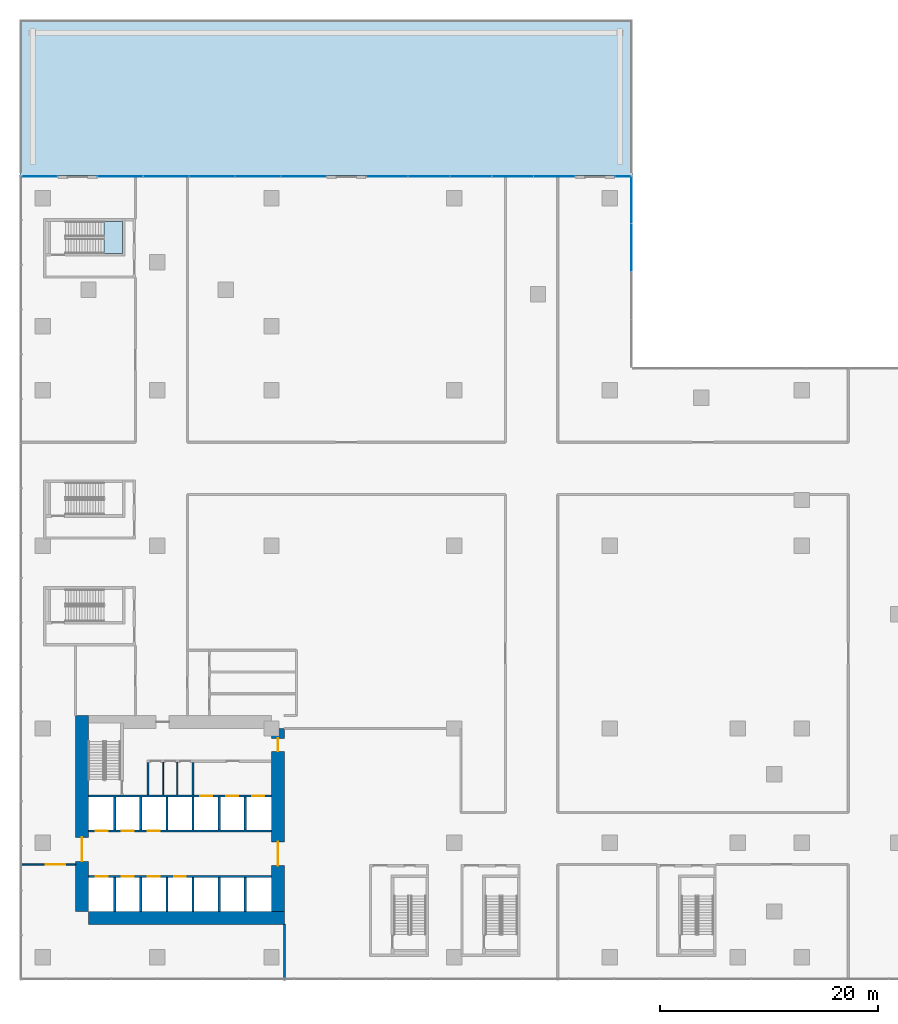
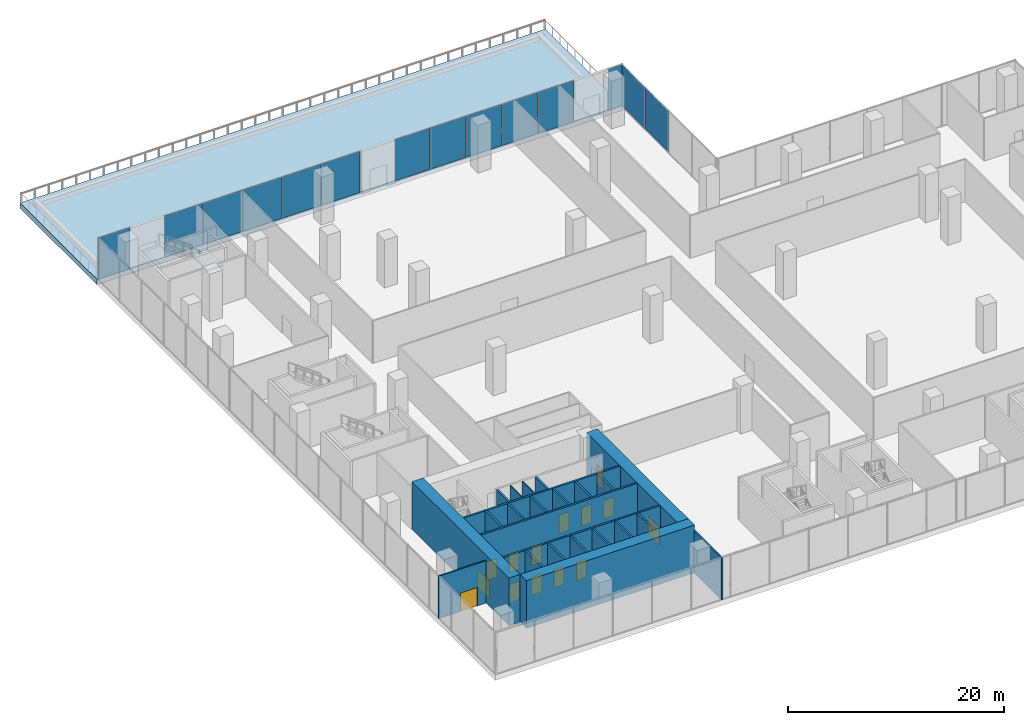
# One storey, part 13 of 24: 24 walls, 14 doors, 14 plates, 2 slabs, 14 openings, 6 elements without a shape of their own.
"""IFC4 building model written with IfcOpenShell, lengths in metres."""

from ifc_helpers import new_model, si_unit, direction, frame, frame_2d, origin, origin_2d, place, context, subcontext, project, spatial, polyline, rectangle, outline, extrude, source, transform, mapped, material, layer, layer_set, type_object, element, fill, aggregate, save


model = new_model("IFC4")

# Units and contexts
model_context = context("Model", 3, precision=1e-05, world=origin(), true_north=direction((0.0, 1.0)))
body_context = subcontext(model_context, "Body", "Model", "MODEL_VIEW")
ifc_project = project(units=[si_unit("LENGTHUNIT", "METRE"), si_unit("AREAUNIT", "SQUARE_METRE"), si_unit("VOLUMEUNIT", "CUBIC_METRE"), si_unit("PLANEANGLEUNIT", "RADIAN"), si_unit("MASSUNIT", "GRAM", prefix="KILO")], contexts=[model_context])

# Site, building, storey
site_placement = place(None, origin())
site = spatial("IfcSite", under=ifc_project, at=site_placement, CompositionType="ELEMENT")
building_placement = place(site_placement, origin())
building = spatial("IfcBuilding", under=site, at=building_placement, Name="Aurelian Terraces", CompositionType="ELEMENT")
storey_placement = place(building_placement, frame((0.0, 0.0, 12.9)))
storey = spatial("IfcBuildingStorey", under=building, at=storey_placement, Name="L02", CompositionType="ELEMENT", Elevation=12.9)

# Slab
ifc_material_1 = material(Name="Concrete fc' 40 MPa", Category="concrete")
ifc_layer_1 = layer(ifc_material_1, 0.6001)
ifc_layer_set_1 = layer_set([ifc_layer_1], Name="Terrace slab 600")
slab_type_1 = type_object("IfcSlabType", Name="Terrace slab 600", PredefinedType="NOTDEFINED", material=ifc_layer_set_1)
slab_1_placement = place(storey_placement, frame((0.0, 0.0, -0.6001)))
element("IfcSlab", 1, at=slab_1_placement, inside=storey, type_object=slab_type_1, Name="Podium garden terrace L02 L02-X1", PredefinedType="NOTDEFINED", context=body_context, shape_type="SweptSolid", body=[
    extrude(outline(polyline([(-2.1, 86.1), (54.18, 86.1), (54.18, 71.82), (-2.1, 71.82), (-2.1, 86.1)])), origin(), (0.0, 0.0, 1.0), 0.6001),
])

# Curtain wall, plate
ifc_material_2 = material(Name="Anodised aluminium and clear glazing", Category="aluminium")
ifc_layer_2 = layer(ifc_material_2, 0.2)
ifc_layer_set_2 = layer_set([ifc_layer_2], Name="Winter garden glazing curtain wall")
curtain_wall_type = type_object("IfcCurtainWallType", Name="Winter garden glazing curtain wall", PredefinedType="NOTDEFINED", material=ifc_layer_set_2)
curtain_wall_1_placement = place(storey_placement, origin())
curtain_wall_1 = element("IfcCurtainWall", 2, at=curtain_wall_1_placement, inside=storey, type_object=curtain_wall_type, Name="Winter garden glazing L02 F05.1", PredefinedType="NOTDEFINED")
ifc_material_3 = material(Name="Clear glazing", Category="glass")
ifc_layer_3 = layer(ifc_material_3, 0.028)
ifc_layer_set_3 = layer_set([ifc_layer_3], Name="Winter garden glazing glazing panel")
plate_type = type_object("IfcPlateType", Name="Winter garden glazing glazing panel", PredefinedType="CURTAIN_PANEL", material=ifc_layer_set_3)
plate_1_placement = place(storey_placement, frame((53.36, 71.72, 0.06), z_axis=(0.0, 0.0, 1.0), x_axis=(-1.0, 0.0, 0.0)))
plate_1 = element("IfcPlate", 3, at=plate_1_placement, type_object=plate_type, Name="CW6 panel 1.1", PredefinedType="CURTAIN_PANEL", context=body_context, shape_type="SweptSolid", body=[
    extrude(rectangle(XDim=1.52, YDim=0.028, at=origin_2d()), origin(), (0.0, 0.0, 1.0), 4.68),
])
aggregate(curtain_wall_1, [plate_1])

# Curtain wall, plates
curtain_wall_2_placement = place(storey_placement, origin())
curtain_wall_2 = element("IfcCurtainWall", 4, at=curtain_wall_2_placement, inside=storey, type_object=curtain_wall_type, Name="Winter garden glazing L02 F05.3", PredefinedType="NOTDEFINED")
plate_2_placement = place(storey_placement, frame((47.001, 71.72, 0.06), z_axis=(0.0, 0.0, 1.0), x_axis=(-1.0, 0.0, 0.0)))
plate_2 = element("IfcPlate", 5, at=plate_2_placement, type_object=plate_type, Name="CW6 panel 1.1", PredefinedType="CURTAIN_PANEL", context=body_context, shape_type="SweptSolid", body=[
    extrude(rectangle(XDim=3.758, YDim=0.028, at=origin_2d()), origin(), (0.0, 0.0, 1.0), 4.68),
])
plate_3_placement = place(storey_placement, frame((43.168, 71.72, 0.06), z_axis=(0.0, 0.0, 1.0), x_axis=(-1.0, 0.0, 0.0)))
plate_3 = element("IfcPlate", 6, at=plate_3_placement, type_object=plate_type, Name="CW6 panel 2.1", PredefinedType="CURTAIN_PANEL", context=body_context, shape_type="SweptSolid", body=[
    extrude(rectangle(XDim=3.788, YDim=0.028, at=origin_2d()), origin(), (0.0, 0.0, 1.0), 4.68),
])

curtain_wall_3_placement = place(storey_placement, origin())
curtain_wall_3 = element("IfcCurtainWall", 7, at=curtain_wall_3_placement, inside=storey, type_object=curtain_wall_type, Name="Winter garden glazing L02 F05.5", PredefinedType="NOTDEFINED")
plate_4_placement = place(storey_placement, frame((23.975, 71.72, 0.06), z_axis=(0.0, 0.0, 1.0), x_axis=(-1.0, 0.0, 0.0)))
plate_4 = element("IfcPlate", 8, at=plate_4_placement, type_object=plate_type, Name="CW6 panel 1.1", PredefinedType="CURTAIN_PANEL", context=body_context, shape_type="SweptSolid", body=[
    extrude(rectangle(XDim=4.13, YDim=0.028, at=origin_2d()), origin(), (0.0, 0.0, 1.0), 4.68),
])
plate_5_placement = place(storey_placement, frame((19.77, 71.72, 0.06), z_axis=(0.0, 0.0, 1.0), x_axis=(-1.0, 0.0, 0.0)))
plate_5 = element("IfcPlate", 9, at=plate_5_placement, type_object=plate_type, Name="CW6 panel 2.1", PredefinedType="CURTAIN_PANEL", context=body_context, shape_type="SweptSolid", body=[
    extrude(rectangle(XDim=4.16, YDim=0.028, at=origin_2d()), origin(), (0.0, 0.0, 1.0), 4.68),
])

# Curtain wall, plate
curtain_wall_4_placement = place(storey_placement, origin())
curtain_wall_4 = element("IfcCurtainWall", 10, at=curtain_wall_4_placement, inside=storey, type_object=curtain_wall_type, Name="Winter garden glazing L02 F05.7", PredefinedType="NOTDEFINED")
plate_6_placement = place(storey_placement, frame((-0.35, 71.72, 0.06), z_axis=(0.0, 0.0, 1.0), x_axis=(-1.0, 0.0, 0.0)))
plate_6 = element("IfcPlate", 11, at=plate_6_placement, type_object=plate_type, Name="CW6 panel 1.1", PredefinedType="CURTAIN_PANEL", context=body_context, shape_type="SweptSolid", body=[
    extrude(rectangle(XDim=3.38, YDim=0.028, at=origin_2d()), origin(), (0.0, 0.0, 1.0), 4.68),
])
aggregate(curtain_wall_4, [plate_6])

# Curtain wall, plates
curtain_wall_5_placement = place(storey_placement, origin())
curtain_wall_5 = element("IfcCurtainWall", 12, at=curtain_wall_5_placement, inside=storey, type_object=curtain_wall_type, Name="Winter garden glazing L02 F04.1", PredefinedType="NOTDEFINED")
shared_shape_1 = source(origin(), body_context, "Body", "SweptSolid", [
    extrude(rectangle(XDim=4.35, YDim=0.028, at=origin_2d()), origin(), (0.0, 0.0, 1.0), 4.68),
])
plate_7_placement = place(storey_placement, frame((54.08, 65.205, 0.06), z_axis=(0.0, 0.0, 1.0), x_axis=(0.0, 1.0, 0.0)))
plate_7 = element("IfcPlate", 13, at=plate_7_placement, type_object=plate_type, Name="CW6 panel 3.1", PredefinedType="CURTAIN_PANEL", context=body_context, shape_type="MappedRepresentation", body=[
    mapped(shared_shape_1, transform((0.0, 0.0, 0.0), scale=1.0)),
])
shared_shape_2 = source(origin(), body_context, "Body", "SweptSolid", [
    extrude(rectangle(XDim=4.32, YDim=0.028, at=origin_2d()), origin(), (0.0, 0.0, 1.0), 4.68),
])
plate_8_placement = place(storey_placement, frame((54.08, 69.6, 0.06), z_axis=(0.0, 0.0, 1.0), x_axis=(0.0, 1.0, 0.0)))
plate_8 = element("IfcPlate", 14, at=plate_8_placement, type_object=plate_type, Name="CW6 panel 4.1", PredefinedType="CURTAIN_PANEL", context=body_context, shape_type="MappedRepresentation", body=[
    mapped(shared_shape_2, transform((0.0, 0.0, 0.0), scale=1.0)),
])
aggregate(curtain_wall_5, [plate_7, plate_8])

# Plate
shared_shape_3 = source(origin(), body_context, "Body", "SweptSolid", [
    extrude(rectangle(XDim=3.788, YDim=0.028, at=origin_2d()), origin(), (0.0, 0.0, 1.0), 4.68),
])
plate_9_placement = place(storey_placement, frame((39.32, 71.72, 0.06), z_axis=(0.0, 0.0, 1.0), x_axis=(-1.0, 0.0, 0.0)))
plate_9 = element("IfcPlate", 15, at=plate_9_placement, type_object=plate_type, Name="CW6 panel 3.1", PredefinedType="CURTAIN_PANEL", context=body_context, shape_type="MappedRepresentation", body=[
    mapped(shared_shape_3, transform((0.0, 0.0, 0.0), scale=1.0)),
])

plate_10_placement = place(storey_placement, frame((35.472, 71.72, 0.06), z_axis=(0.0, 0.0, 1.0), x_axis=(-1.0, 0.0, 0.0)))
plate_10 = element("IfcPlate", 16, at=plate_10_placement, type_object=plate_type, Name="CW6 panel 4.1", PredefinedType="CURTAIN_PANEL", context=body_context, shape_type="MappedRepresentation", body=[
    mapped(shared_shape_3, transform((0.0, 0.0, 0.0), scale=1.0)),
])

shared_shape_4 = source(origin(), body_context, "Body", "SweptSolid", [
    extrude(rectangle(XDim=3.758, YDim=0.028, at=origin_2d()), origin(), (0.0, 0.0, 1.0), 4.68),
])
plate_11_placement = place(storey_placement, frame((31.639, 71.72, 0.06), z_axis=(0.0, 0.0, 1.0), x_axis=(-1.0, 0.0, 0.0)))
plate_11 = element("IfcPlate", 17, at=plate_11_placement, type_object=plate_type, Name="CW6 panel 5.1", PredefinedType="CURTAIN_PANEL", context=body_context, shape_type="MappedRepresentation", body=[
    mapped(shared_shape_4, transform((0.0, 0.0, 0.0), scale=1.0)),
])

aggregate(curtain_wall_2, [plate_2, plate_3, plate_9, plate_10, plate_11])

shared_shape_5 = source(origin(), body_context, "Body", "SweptSolid", [
    extrude(rectangle(XDim=4.16, YDim=0.028, at=origin_2d()), origin(), (0.0, 0.0, 1.0), 4.68),
])
plate_12_placement = place(storey_placement, frame((15.55, 71.72, 0.06), z_axis=(0.0, 0.0, 1.0), x_axis=(-1.0, 0.0, 0.0)))
plate_12 = element("IfcPlate", 18, at=plate_12_placement, type_object=plate_type, Name="CW6 panel 3.1", PredefinedType="CURTAIN_PANEL", context=body_context, shape_type="MappedRepresentation", body=[
    mapped(shared_shape_5, transform((0.0, 0.0, 0.0), scale=1.0)),
])

plate_13_placement = place(storey_placement, frame((11.33, 71.72, 0.06), z_axis=(0.0, 0.0, 1.0), x_axis=(-1.0, 0.0, 0.0)))
plate_13 = element("IfcPlate", 19, at=plate_13_placement, type_object=plate_type, Name="CW6 panel 4.1", PredefinedType="CURTAIN_PANEL", context=body_context, shape_type="MappedRepresentation", body=[
    mapped(shared_shape_5, transform((0.0, 0.0, 0.0), scale=1.0)),
])

shared_shape_6 = source(origin(), body_context, "Body", "SweptSolid", [
    extrude(rectangle(XDim=4.13, YDim=0.028, at=origin_2d()), origin(), (0.0, 0.0, 1.0), 4.68),
])
plate_14_placement = place(storey_placement, frame((7.125, 71.72, 0.06), z_axis=(0.0, 0.0, 1.0), x_axis=(-1.0, 0.0, 0.0)))
plate_14 = element("IfcPlate", 20, at=plate_14_placement, type_object=plate_type, Name="CW6 panel 5.1", PredefinedType="CURTAIN_PANEL", context=body_context, shape_type="MappedRepresentation", body=[
    mapped(shared_shape_6, transform((0.0, 0.0, 0.0), scale=1.0)),
])

aggregate(curtain_wall_3, [plate_4, plate_5, plate_12, plate_13, plate_14])

# Stair, slab
stair_type = type_object("IfcStairType", Name="Stair 1400", PredefinedType="HALF_TURN_STAIR", material=ifc_material_1)
stair_placement = place(storey_placement, origin())
stair = element("IfcStair", 21, at=stair_placement, inside=storey, type_object=stair_type, Name="L02 S5", PredefinedType="HALF_TURN_STAIR")
ifc_layer_4 = layer(ifc_material_1, 0.2)
ifc_layer_set_4 = layer_set([ifc_layer_4], Name="Stair landing 200")
slab_type_2 = type_object("IfcSlabType", Name="Stair landing 200", PredefinedType="LANDING", material=ifc_layer_set_4)
shared_shape_7 = source(origin(), body_context, "Body", "SweptSolid", [
    extrude(outline(polyline([(5.6, 64.65), (7.3, 64.65), (7.3, 67.6), (5.6, 67.6), (5.6, 64.65)])), origin(), (0.0, 0.0, 1.0), 0.2),
])
slab_2_placement = place(storey_placement, frame((0.0, 0.0, 2.5)))
slab_2 = element("IfcSlab", 22, at=slab_2_placement, type_object=slab_type_2, Name="S5 landing 1", PredefinedType="LANDING", context=body_context, shape_type="MappedRepresentation", body=[
    mapped(shared_shape_7, transform((0.0, 0.0, 0.0), scale=1.0)),
])
aggregate(stair, [slab_2])

# Wall, opening, door
ifc_material_4 = material(Name="Concrete fc' 83 MPa", Category="concrete")
ifc_layer_5 = layer(ifc_material_4, 1.2)
ifc_layer_set_5 = layer_set([ifc_layer_5], Name="CORE WALL 1200 FC83")
wall_type_1 = type_object("IfcWallType", Name="CORE WALL 1200 FC83", PredefinedType="SHEAR", material=ifc_layer_set_5)
shared_shape_8 = source(origin(), body_context, "Body", "SweptSolid", [
    extrude(rectangle(XDim=18.0, YDim=1.2, at=frame_2d((9.0, 0.0))), origin(), (0.0, 0.0, 1.0), 5.4),
])
wall_1_placement = place(storey_placement, frame((3.6, 4.2, 0.0), z_axis=(0.0, 0.0, 1.0), x_axis=(0.0, 1.0, 0.0)))
wall_1 = element("IfcWall", 23, at=wall_1_placement, inside=storey, type_object=wall_type_1, Name="Core wall W L02", PredefinedType="SHEAR", context=body_context, shape_type="MappedRepresentation", body=[
    mapped(shared_shape_8, transform((0.0, 0.0, 0.0), scale=1.0)),
])
shared_shape_9 = source(origin(), body_context, "Body", "SweptSolid", [
    extrude(rectangle(XDim=2.2, YDim=2.1, at=frame_2d((1.1, 1.05))), frame((0.0, 0.61, 0.0), z_axis=(0.0, -1.0, 0.0), x_axis=(1.0, 0.0, 0.0)), (0.0, 0.0, 1.0), 1.22),
])
opening_1_placement = place(wall_1_placement, frame((4.6, 0.0, 0.0)))
opening_1 = element("IfcOpeningElement", 24, at=opening_1_placement, cuts=wall_1, Name="Opening 60534", PredefinedType="OPENING", context=body_context, shape_type="MappedRepresentation", body=[
    mapped(shared_shape_9, transform((0.0, 0.0, 0.0), scale=1.0)),
])
ifc_material_5 = material(Name="Steel door leaf", Category="steel")
door_type_1 = type_object("IfcDoorType", Name="Core double door 2200x2100", OperationType="DOUBLE_DOOR_SINGLE_SWING", PredefinedType="DOOR", material=ifc_material_5)
shared_shape_10 = source(origin(), body_context, "Body", "SweptSolid", [
    extrude(rectangle(XDim=2.2, YDim=2.1, at=frame_2d((1.1, 1.05))), frame((0.0, 0.025, 0.0), z_axis=(0.0, -1.0, 0.0), x_axis=(1.0, 0.0, 0.0)), (0.0, 0.0, 1.0), 0.05),
])
door_1_placement = place(opening_1_placement, origin())
door_1 = element("IfcDoor", 25, at=door_1_placement, inside=storey, type_object=door_type_1, Name="Core door 60534", OperationType="DOUBLE_DOOR_SINGLE_SWING", OverallHeight=2.1, OverallWidth=2.2, PredefinedType="DOOR", context=body_context, shape_type="MappedRepresentation", body=[
    mapped(shared_shape_10, transform((0.0, 0.0, 0.0), scale=1.0)),
])
fill(opening_1, door_1)

# Wall
wall_2_placement = place(storey_placement, frame((4.2, 3.6, 0.0), z_axis=(0.0, 0.0, 1.0), x_axis=(1.0, 0.0, 0.0)))
element("IfcWall", 26, at=wall_2_placement, inside=storey, type_object=wall_type_1, Name="Core wall S L02", PredefinedType="SHEAR", context=body_context, shape_type="MappedRepresentation", body=[
    mapped(shared_shape_8, transform((0.0, 0.0, 0.0), scale=1.0)),
])

# Wall, openings, doors
shared_shape_11 = source(origin(), body_context, "Body", "SweptSolid", [
    extrude(rectangle(XDim=16.8, YDim=1.2, at=frame_2d((8.4, 0.0))), origin(), (0.0, 0.0, 1.0), 5.4),
])
wall_3_placement = place(storey_placement, frame((21.6, 4.2, 0.0), z_axis=(0.0, 0.0, 1.0), x_axis=(0.0, 1.0, 0.0)))
wall_3 = element("IfcWall", 27, at=wall_3_placement, inside=storey, type_object=wall_type_1, Name="Core wall E L02", PredefinedType="SHEAR", context=body_context, shape_type="MappedRepresentation", body=[
    mapped(shared_shape_11, transform((0.0, 0.0, 0.0), scale=1.0)),
])
opening_2_placement = place(wall_3_placement, frame((4.2, 0.0, 0.0)))
opening_2 = element("IfcOpeningElement", 28, at=opening_2_placement, cuts=wall_3, Name="Opening 60533", PredefinedType="OPENING", context=body_context, shape_type="MappedRepresentation", body=[
    mapped(shared_shape_9, transform((0.0, 0.0, 0.0), scale=1.0)),
])
shared_shape_12 = source(origin(), body_context, "Body", "SweptSolid", [
    extrude(rectangle(XDim=1.2, YDim=2.1, at=frame_2d((0.6, 1.05))), frame((0.0, 0.61, 0.0), z_axis=(0.0, -1.0, 0.0), x_axis=(1.0, 0.0, 0.0)), (0.0, 0.0, 1.0), 1.22),
])
opening_3_placement = place(wall_3_placement, frame((14.7, 0.0, 0.0)))
opening_3 = element("IfcOpeningElement", 29, at=opening_3_placement, cuts=wall_3, Name="Opening 60536", PredefinedType="OPENING", context=body_context, shape_type="MappedRepresentation", body=[
    mapped(shared_shape_12, transform((0.0, 0.0, 0.0), scale=1.0)),
])
door_type_2 = type_object("IfcDoorType", Name="Core fire door 1200x2100", OperationType="SINGLE_SWING_LEFT", PredefinedType="DOOR", material=ifc_material_5)
shared_shape_13 = source(origin(), body_context, "Body", "SweptSolid", [
    extrude(rectangle(XDim=1.2, YDim=2.1, at=frame_2d((0.6, 1.05))), frame((0.0, 0.025, 0.0), z_axis=(0.0, -1.0, 0.0), x_axis=(1.0, 0.0, 0.0)), (0.0, 0.0, 1.0), 0.05),
])
door_2_placement = place(opening_3_placement, origin())
door_2 = element("IfcDoor", 30, at=door_2_placement, inside=storey, type_object=door_type_2, Name="Core door 60536", OperationType="SINGLE_SWING_LEFT", OverallHeight=2.1, OverallWidth=1.2, PredefinedType="DOOR", context=body_context, shape_type="MappedRepresentation", body=[
    mapped(shared_shape_13, transform((0.0, 0.0, 0.0), scale=1.0)),
])
fill(opening_3, door_2)
door_3_placement = place(opening_2_placement, origin())
door_3 = element("IfcDoor", 31, at=door_3_placement, inside=storey, type_object=door_type_1, Name="Core door 60533", OperationType="DOUBLE_DOOR_SINGLE_SWING", OverallHeight=2.1, OverallWidth=2.2, PredefinedType="DOOR", context=body_context, shape_type="MappedRepresentation", body=[
    mapped(shared_shape_10, transform((0.0, 0.0, 0.0), scale=1.0)),
])
fill(opening_2, door_3)

# Walls
ifc_layer_6 = layer(ifc_material_1, 0.2)
ifc_layer_set_6 = layer_set([ifc_layer_6], Name="Lift shaft wall 200")
wall_type_2 = type_object("IfcWallType", Name="Lift shaft wall 200", PredefinedType="SOLIDWALL", material=ifc_layer_set_6)
shared_shape_14 = source(origin(), body_context, "Body", "SweptSolid", [
    extrude(rectangle(XDim=3.1, YDim=0.2, at=frame_2d((1.55, 0.0))), origin(), (0.0, 0.0, 1.0), 5.4),
])
for number, where, z_axis, x_axis, name in (
    (32, (6.6, 4.2, 0.0), (0.0, 0.0, 1.0), (0.0, 1.0, 0.0), "L02 core wall CD-A1"),
    (33, (9.0, 4.2, 0.0), (0.0, 0.0, 1.0), (0.0, 1.0, 0.0), "L02 core wall CD-A2"),
    (34, (11.4, 4.2, 0.0), (0.0, 0.0, 1.0), (0.0, 1.0, 0.0), "L02 core wall CD-A3"),
    (35, (13.8, 4.2, 0.0), (0.0, 0.0, 1.0), (0.0, 1.0, 0.0), "L02 core wall CD-A4"),
    (36, (16.2, 4.2, 0.0), (0.0, 0.0, 1.0), (0.0, 1.0, 0.0), "L02 core wall CD-A5"),
    (37, (18.6, 4.2, 0.0), (0.0, 0.0, 1.0), (0.0, 1.0, 0.0), "L02 core wall CD-A6"),
):
    element("IfcWall", number, at=place(storey_placement, frame(where, z_axis=z_axis, x_axis=x_axis)), inside=storey, type_object=wall_type_2, Name=name, PredefinedType="SOLIDWALL", context=body_context, shape_type="MappedRepresentation", body=[
        mapped(shared_shape_14, transform((0.0, 0.0, 0.0), scale=1.0)),
    ])
shared_shape_15 = source(origin(), body_context, "Body", "SweptSolid", [
    extrude(rectangle(XDim=3.0, YDim=0.2, at=frame_2d((1.5, 0.0))), origin(), (0.0, 0.0, 1.0), 5.4),
])
for number, where, z_axis, x_axis, name in (
    (38, (6.6, 11.7, 0.0), (0.0, 0.0, 1.0), (0.0, 1.0, 0.0), "L02 core wall CD-B1"),
    (39, (9.0, 11.7, 0.0), (0.0, 0.0, 1.0), (0.0, 1.0, 0.0), "L02 core wall CD-B2"),
    (40, (11.4, 11.7, 0.0), (0.0, 0.0, 1.0), (0.0, 1.0, 0.0), "L02 core wall CD-B3"),
    (41, (13.8, 11.7, 0.0), (0.0, 0.0, 1.0), (0.0, 1.0, 0.0), "L02 core wall CD-B4"),
    (42, (16.2, 11.7, 0.0), (0.0, 0.0, 1.0), (0.0, 1.0, 0.0), "L02 core wall CD-B5"),
    (43, (18.6, 11.7, 0.0), (0.0, 0.0, 1.0), (0.0, 1.0, 0.0), "L02 core wall CD-B6"),
):
    element("IfcWall", number, at=place(storey_placement, frame(where, z_axis=z_axis, x_axis=x_axis)), inside=storey, type_object=wall_type_2, Name=name, PredefinedType="SOLIDWALL", context=body_context, shape_type="MappedRepresentation", body=[
        mapped(shared_shape_15, transform((0.0, 0.0, 0.0), scale=1.0)),
    ])

# Wall, openings, doors
shared_shape_16 = source(origin(), body_context, "Body", "SweptSolid", [
    extrude(rectangle(XDim=16.8, YDim=0.2, at=frame_2d((8.4, 0.0))), origin(), (0.0, 0.0, 1.0), 5.4),
])
wall_4_placement = place(storey_placement, frame((4.2, 7.4, 0.0), z_axis=(0.0, 0.0, 1.0), x_axis=(1.0, 0.0, 0.0)))
wall_4 = element("IfcWall", 44, at=wall_4_placement, inside=storey, type_object=wall_type_2, Name="L02 core wall CF-AF1", PredefinedType="SOLIDWALL", context=body_context, shape_type="MappedRepresentation", body=[
    mapped(shared_shape_16, transform((0.0, 0.0, 0.0), scale=1.0)),
])
shared_shape_17 = source(origin(), body_context, "Body", "SweptSolid", [
    extrude(rectangle(XDim=1.1, YDim=2.1, at=frame_2d((0.55, 1.05))), frame((0.0, 0.11, 0.0), z_axis=(0.0, -1.0, 0.0), x_axis=(1.0, 0.0, 0.0)), (0.0, 0.0, 1.0), 0.22),
])
opening_4_placement = place(wall_4_placement, frame((0.65, 0.0, 0.0)))
opening_4 = element("IfcOpeningElement", 45, at=opening_4_placement, cuts=wall_4, Name="Opening 60500", PredefinedType="OPENING", context=body_context, shape_type="MappedRepresentation", body=[
    mapped(shared_shape_17, transform((0.0, 0.0, 0.0), scale=1.0)),
])
opening_5_placement = place(wall_4_placement, frame((3.05, 0.0, 0.0)))
opening_5 = element("IfcOpeningElement", 46, at=opening_5_placement, cuts=wall_4, Name="Opening 60501", PredefinedType="OPENING", context=body_context, shape_type="MappedRepresentation", body=[
    mapped(shared_shape_17, transform((0.0, 0.0, 0.0), scale=1.0)),
])
opening_6_placement = place(wall_4_placement, frame((5.45, 0.0, 0.0)))
opening_6 = element("IfcOpeningElement", 47, at=opening_6_placement, cuts=wall_4, Name="Opening 60502", PredefinedType="OPENING", context=body_context, shape_type="MappedRepresentation", body=[
    mapped(shared_shape_17, transform((0.0, 0.0, 0.0), scale=1.0)),
])
opening_7_placement = place(wall_4_placement, frame((7.85, 0.0, 0.0)))
opening_7 = element("IfcOpeningElement", 48, at=opening_7_placement, cuts=wall_4, Name="Opening 60503", PredefinedType="OPENING", context=body_context, shape_type="MappedRepresentation", body=[
    mapped(shared_shape_17, transform((0.0, 0.0, 0.0), scale=1.0)),
])
ifc_material_6 = material(Name="Stainless steel", Category="steel")
door_type_3 = type_object("IfcDoorType", Name="Lift landing door 1100x2100", OperationType="SLIDING_TO_LEFT", PredefinedType="DOOR", material=ifc_material_6)
shared_shape_18 = source(origin(), body_context, "Body", "SweptSolid", [
    extrude(rectangle(XDim=1.1, YDim=2.1, at=frame_2d((0.55, 1.05))), frame((0.0, 0.025, 0.0), z_axis=(0.0, -1.0, 0.0), x_axis=(1.0, 0.0, 0.0)), (0.0, 0.0, 1.0), 0.05),
])
door_4_placement = place(opening_4_placement, origin())
door_4 = element("IfcDoor", 49, at=door_4_placement, inside=storey, type_object=door_type_3, Name="Lift landing door LL1 L02", OperationType="SLIDING_TO_LEFT", OverallHeight=2.1, OverallWidth=1.1, PredefinedType="DOOR", context=body_context, shape_type="MappedRepresentation", body=[
    mapped(shared_shape_18, transform((0.0, 0.0, 0.0), scale=1.0)),
])
fill(opening_4, door_4)
door_5_placement = place(opening_5_placement, origin())
door_5 = element("IfcDoor", 50, at=door_5_placement, inside=storey, type_object=door_type_3, Name="Lift landing door LL2 L02", OperationType="SLIDING_TO_LEFT", OverallHeight=2.1, OverallWidth=1.1, PredefinedType="DOOR", context=body_context, shape_type="MappedRepresentation", body=[
    mapped(shared_shape_18, transform((0.0, 0.0, 0.0), scale=1.0)),
])
fill(opening_5, door_5)
door_6_placement = place(opening_6_placement, origin())
door_6 = element("IfcDoor", 51, at=door_6_placement, inside=storey, type_object=door_type_3, Name="Lift landing door LL3 L02", OperationType="SLIDING_TO_LEFT", OverallHeight=2.1, OverallWidth=1.1, PredefinedType="DOOR", context=body_context, shape_type="MappedRepresentation", body=[
    mapped(shared_shape_18, transform((0.0, 0.0, 0.0), scale=1.0)),
])
fill(opening_6, door_6)
door_7_placement = place(opening_7_placement, origin())
door_7 = element("IfcDoor", 52, at=door_7_placement, inside=storey, type_object=door_type_3, Name="Lift landing door LL4 L02", OperationType="SLIDING_TO_LEFT", OverallHeight=2.1, OverallWidth=1.1, PredefinedType="DOOR", context=body_context, shape_type="MappedRepresentation", body=[
    mapped(shared_shape_18, transform((0.0, 0.0, 0.0), scale=1.0)),
])
fill(opening_7, door_7)

wall_5_placement = place(storey_placement, frame((4.2, 11.6, 0.0), z_axis=(0.0, 0.0, 1.0), x_axis=(1.0, 0.0, 0.0)))
wall_5 = element("IfcWall", 53, at=wall_5_placement, inside=storey, type_object=wall_type_2, Name="L02 core wall CF-BF1", PredefinedType="SOLIDWALL", context=body_context, shape_type="MappedRepresentation", body=[
    mapped(shared_shape_16, transform((0.0, 0.0, 0.0), scale=1.0)),
])
opening_8_placement = place(wall_5_placement, frame((0.65, 0.0, 0.0)))
opening_8 = element("IfcOpeningElement", 54, at=opening_8_placement, cuts=wall_5, Name="Opening 60504", PredefinedType="OPENING", context=body_context, shape_type="MappedRepresentation", body=[
    mapped(shared_shape_17, transform((0.0, 0.0, 0.0), scale=1.0)),
])
opening_9_placement = place(wall_5_placement, frame((3.05, 0.0, 0.0)))
opening_9 = element("IfcOpeningElement", 55, at=opening_9_placement, cuts=wall_5, Name="Opening 60505", PredefinedType="OPENING", context=body_context, shape_type="MappedRepresentation", body=[
    mapped(shared_shape_17, transform((0.0, 0.0, 0.0), scale=1.0)),
])
opening_10_placement = place(wall_5_placement, frame((5.45, 0.0, 0.0)))
opening_10 = element("IfcOpeningElement", 56, at=opening_10_placement, cuts=wall_5, Name="Opening 60506", PredefinedType="OPENING", context=body_context, shape_type="MappedRepresentation", body=[
    mapped(shared_shape_17, transform((0.0, 0.0, 0.0), scale=1.0)),
])
door_8_placement = place(opening_8_placement, origin())
door_8 = element("IfcDoor", 57, at=door_8_placement, inside=storey, type_object=door_type_3, Name="Lift landing door LL5 L02", OperationType="SLIDING_TO_LEFT", OverallHeight=2.1, OverallWidth=1.1, PredefinedType="DOOR", context=body_context, shape_type="MappedRepresentation", body=[
    mapped(shared_shape_18, transform((0.0, 0.0, 0.0), scale=1.0)),
])
fill(opening_8, door_8)
door_9_placement = place(opening_9_placement, origin())
door_9 = element("IfcDoor", 58, at=door_9_placement, inside=storey, type_object=door_type_3, Name="Lift landing door LL6 L02", OperationType="SLIDING_TO_LEFT", OverallHeight=2.1, OverallWidth=1.1, PredefinedType="DOOR", context=body_context, shape_type="MappedRepresentation", body=[
    mapped(shared_shape_18, transform((0.0, 0.0, 0.0), scale=1.0)),
])
fill(opening_9, door_9)
door_10_placement = place(opening_10_placement, origin())
door_10 = element("IfcDoor", 59, at=door_10_placement, inside=storey, type_object=door_type_3, Name="Lift landing door LL7 L02", OperationType="SLIDING_TO_LEFT", OverallHeight=2.1, OverallWidth=1.1, PredefinedType="DOOR", context=body_context, shape_type="MappedRepresentation", body=[
    mapped(shared_shape_18, transform((0.0, 0.0, 0.0), scale=1.0)),
])
fill(opening_10, door_10)

wall_6_placement = place(storey_placement, frame((4.2, 14.8, 0.0), z_axis=(0.0, 0.0, 1.0), x_axis=(1.0, 0.0, 0.0)))
wall_6 = element("IfcWall", 60, at=wall_6_placement, inside=storey, type_object=wall_type_2, Name="L02 core wall CF-BB1", PredefinedType="SOLIDWALL", context=body_context, shape_type="MappedRepresentation", body=[
    mapped(shared_shape_16, transform((0.0, 0.0, 0.0), scale=1.0)),
])
opening_11_placement = place(wall_6_placement, frame((10.25, 0.0, 0.0)))
opening_11 = element("IfcOpeningElement", 61, at=opening_11_placement, cuts=wall_6, Name="Opening 60507", PredefinedType="OPENING", context=body_context, shape_type="MappedRepresentation", body=[
    mapped(shared_shape_17, transform((0.0, 0.0, 0.0), scale=1.0)),
])
opening_12_placement = place(wall_6_placement, frame((12.65, 0.0, 0.0)))
opening_12 = element("IfcOpeningElement", 62, at=opening_12_placement, cuts=wall_6, Name="Opening 60508", PredefinedType="OPENING", context=body_context, shape_type="MappedRepresentation", body=[
    mapped(shared_shape_17, transform((0.0, 0.0, 0.0), scale=1.0)),
])
opening_13_placement = place(wall_6_placement, frame((15.05, 0.0, 0.0)))
opening_13 = element("IfcOpeningElement", 63, at=opening_13_placement, cuts=wall_6, Name="Opening 60509", PredefinedType="OPENING", context=body_context, shape_type="MappedRepresentation", body=[
    mapped(shared_shape_17, transform((0.0, 0.0, 0.0), scale=1.0)),
])
door_11_placement = place(opening_11_placement, origin())
door_11 = element("IfcDoor", 64, at=door_11_placement, inside=storey, type_object=door_type_3, Name="Lift landing door F1 L02", OperationType="SLIDING_TO_LEFT", OverallHeight=2.1, OverallWidth=1.1, PredefinedType="DOOR", context=body_context, shape_type="MappedRepresentation", body=[
    mapped(shared_shape_18, transform((0.0, 0.0, 0.0), scale=1.0)),
])
fill(opening_11, door_11)
door_12_placement = place(opening_12_placement, origin())
door_12 = element("IfcDoor", 65, at=door_12_placement, inside=storey, type_object=door_type_3, Name="Lift landing door F2 L02", OperationType="SLIDING_TO_LEFT", OverallHeight=2.1, OverallWidth=1.1, PredefinedType="DOOR", context=body_context, shape_type="MappedRepresentation", body=[
    mapped(shared_shape_18, transform((0.0, 0.0, 0.0), scale=1.0)),
])
fill(opening_12, door_12)
door_13_placement = place(opening_13_placement, origin())
door_13 = element("IfcDoor", 66, at=door_13_placement, inside=storey, type_object=door_type_3, Name="Lift landing door F3 L02", OperationType="SLIDING_TO_LEFT", OverallHeight=2.1, OverallWidth=1.1, PredefinedType="DOOR", context=body_context, shape_type="MappedRepresentation", body=[
    mapped(shared_shape_18, transform((0.0, 0.0, 0.0), scale=1.0)),
])
fill(opening_13, door_13)

# Walls
ifc_material_7 = material(Name="Gypsum board on steel studs", Category="steel")
ifc_layer_7 = layer(ifc_material_7, 0.2)
ifc_layer_set_7 = layer_set([ifc_layer_7], Name="Core partition 200")
wall_type_3 = type_object("IfcWallType", Name="Core partition 200", PredefinedType="PARTITIONING", material=ifc_layer_set_7)
shared_shape_19 = source(origin(), body_context, "Body", "SweptSolid", [
    extrude(rectangle(XDim=3.0, YDim=0.2, at=frame_2d((1.5, 0.0))), origin(), (0.0, 0.0, 1.0), 4.8),
])
for number, where, z_axis, x_axis, name in (
    (67, (9.65, 14.9, 0.0), (0.0, 0.0, 1.0), (0.0, 1.0, 0.0), "L02 core wall CP-VEST"),
    (68, (13.8, 14.9, 0.0), (0.0, 0.0, 1.0), (0.0, 1.0, 0.0), "L02 core wall CP-FFL"),
):
    element("IfcWall", number, at=place(storey_placement, frame(where, z_axis=z_axis, x_axis=x_axis)), inside=storey, type_object=wall_type_3, Name=name, PredefinedType="PARTITIONING", context=body_context, shape_type="MappedRepresentation", body=[
        mapped(shared_shape_19, transform((0.0, 0.0, 0.0), scale=1.0)),
    ])
ifc_layer_8 = layer(ifc_material_7, 0.1)
ifc_layer_set_8 = layer_set([ifc_layer_8], Name="Core partition 100")
wall_type_4 = type_object("IfcWallType", Name="Core partition 100", PredefinedType="PARTITIONING", material=ifc_layer_set_8)
shared_shape_20 = source(origin(), body_context, "Body", "SweptSolid", [
    extrude(rectangle(XDim=3.0, YDim=0.1, at=frame_2d((1.5, 0.0))), origin(), (0.0, 0.0, 1.0), 4.8),
])
for number, where, z_axis, x_axis, name in (
    (69, (11.05, 14.9, 0.0), (0.0, 0.0, 1.0), (0.0, 1.0, 0.0), "L02 core wall CP-SV1"),
    (70, (12.35, 14.9, 0.0), (0.0, 0.0, 1.0), (0.0, 1.0, 0.0), "L02 core wall CP-SV2"),
):
    element("IfcWall", number, at=place(storey_placement, frame(where, z_axis=z_axis, x_axis=x_axis)), inside=storey, type_object=wall_type_4, Name=name, PredefinedType="PARTITIONING", context=body_context, shape_type="MappedRepresentation", body=[
        mapped(shared_shape_20, transform((0.0, 0.0, 0.0), scale=1.0)),
    ])

# Wall, opening, door
ifc_layer_9 = layer(ifc_material_7, 0.15)
ifc_layer_set_9 = layer_set([ifc_layer_9], Name="Special partition 150")
wall_type_5 = type_object("IfcWallType", Name="Special partition 150", PredefinedType="PARTITIONING", material=ifc_layer_set_9)
shared_shape_21 = source(origin(), body_context, "Body", "SweptSolid", [
    extrude(rectangle(XDim=5.1, YDim=0.15, at=frame_2d((2.55, 0.0))), origin(), (0.0, 0.0, 1.0), 4.8),
])
wall_7_placement = place(storey_placement, frame((-2.1, 8.5, 0.0), z_axis=(0.0, 0.0, 1.0), x_axis=(1.0, 0.0, 0.0)))
wall_7 = element("IfcWall", 71, at=wall_7_placement, inside=storey, type_object=wall_type_5, Name="L02 partition W01", PredefinedType="PARTITIONING", context=body_context, shape_type="MappedRepresentation", body=[
    mapped(shared_shape_21, transform((0.0, 0.0, 0.0), scale=1.0)),
])
shared_shape_22 = source(origin(), body_context, "Body", "SweptSolid", [
    extrude(rectangle(XDim=1.8, YDim=2.1, at=frame_2d((0.9, 1.05))), frame((0.0, 0.085, 0.0), z_axis=(0.0, -1.0, 0.0), x_axis=(1.0, 0.0, 0.0)), (0.0, 0.0, 1.0), 0.17),
])
opening_14_placement = place(wall_7_placement, frame((2.35, 0.0, 0.0)))
opening_14 = element("IfcOpeningElement", 72, at=opening_14_placement, cuts=wall_7, Name="Opening 70501", PredefinedType="OPENING", context=body_context, shape_type="MappedRepresentation", body=[
    mapped(shared_shape_22, transform((0.0, 0.0, 0.0), scale=1.0)),
])
ifc_material_8 = material(Name="Timber door leaf", Category="wood")
door_type_4 = type_object("IfcDoorType", Name="Special double door 1800x2100", OperationType="DOUBLE_DOOR_SINGLE_SWING", PredefinedType="DOOR", material=ifc_material_8)
shared_shape_23 = source(origin(), body_context, "Body", "SweptSolid", [
    extrude(rectangle(XDim=1.8, YDim=2.1, at=frame_2d((0.9, 1.05))), frame((0.0, 0.025, 0.0), z_axis=(0.0, -1.0, 0.0), x_axis=(1.0, 0.0, 0.0)), (0.0, 0.0, 1.0), 0.05),
])
door_14_placement = place(opening_14_placement, origin())
door_14 = element("IfcDoor", 73, at=door_14_placement, inside=storey, type_object=door_type_4, Name="Door 70501", OperationType="DOUBLE_DOOR_SINGLE_SWING", OverallHeight=2.1, OverallWidth=1.8, PredefinedType="DOOR", context=body_context, shape_type="MappedRepresentation", body=[
    mapped(shared_shape_23, transform((0.0, 0.0, 0.0), scale=1.0)),
])
fill(opening_14, door_14)

# Wall
wall_8_placement = place(storey_placement, frame((22.2, -2.1, 0.0), z_axis=(0.0, 0.0, 1.0), x_axis=(0.0, 1.0, 0.0)))
element("IfcWall", 74, at=wall_8_placement, inside=storey, type_object=wall_type_5, Name="L02 partition W27", PredefinedType="PARTITIONING", context=body_context, shape_type="MappedRepresentation", body=[
    mapped(shared_shape_21, transform((0.0, 0.0, 0.0), scale=1.0)),
])

save(model, "model.ifc")
